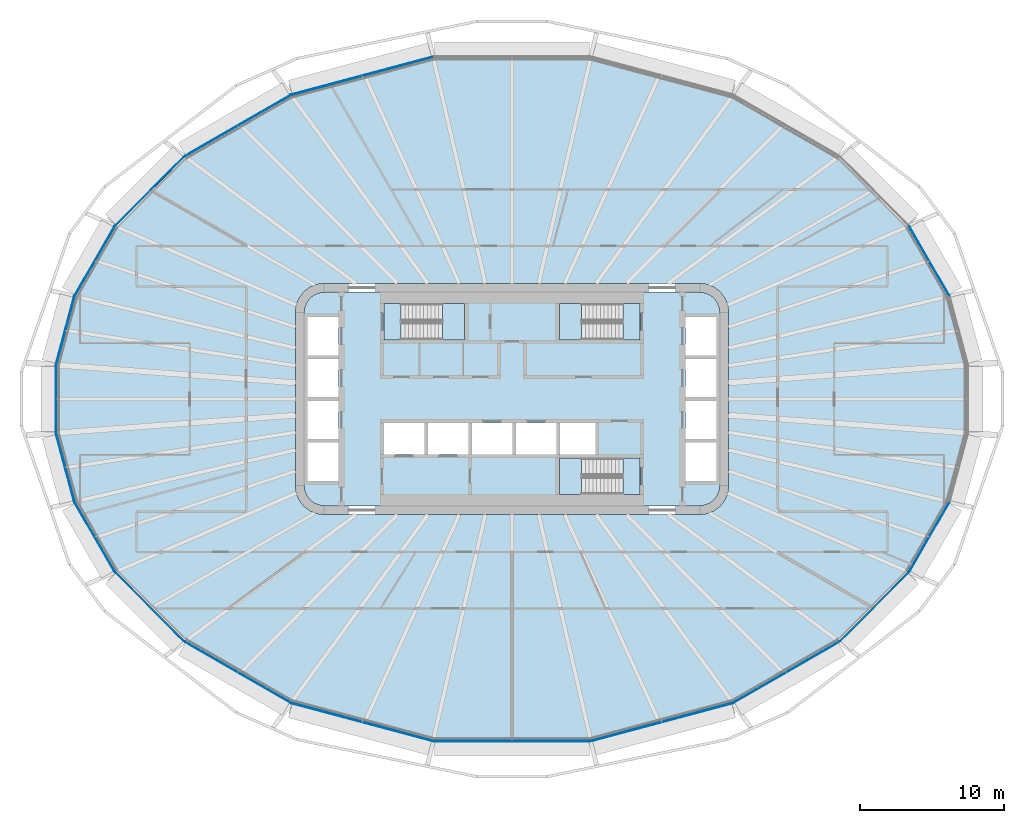
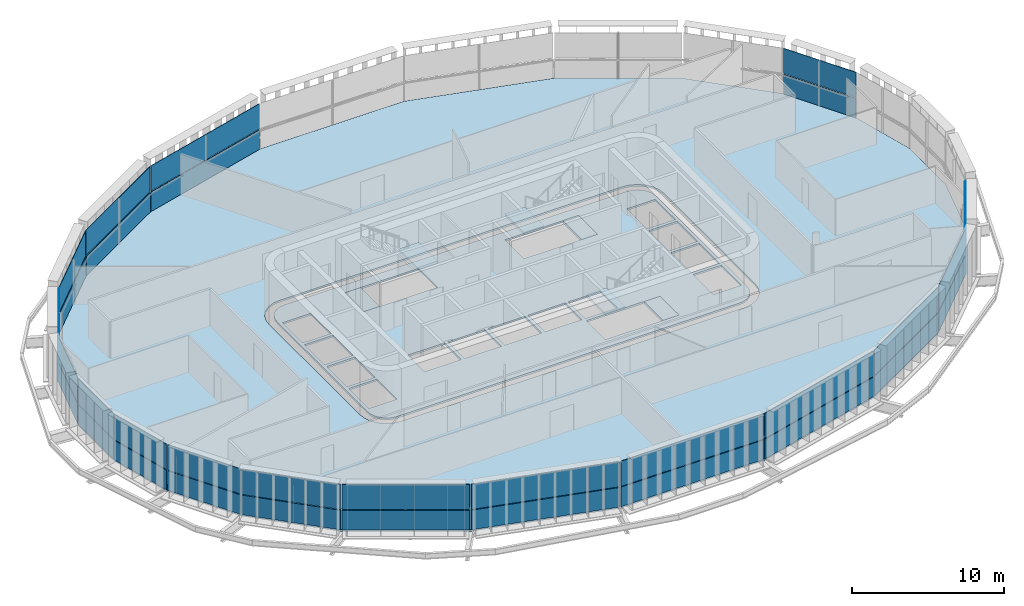
# One storey, part 13 of 25: 34 plates, 8 slabs, 20 elements without a shape of their own.
"""IFC4 building model written with IfcOpenShell, lengths in metres."""

from ifc_helpers import new_model, si_unit, direction, frame, origin, place, context, subcontext, project, spatial, polyline, outline, extrude, material, layer, layer_set, type_object, element, aggregate, save


model = new_model("IFC4")

# Units and contexts
model_context = context("Model", 3, precision=1e-05, world=origin(), true_north=direction((0.0, 1.0)))
body_context = subcontext(model_context, "Body", "Model", "MODEL_VIEW")
ifc_project = project(units=[si_unit("LENGTHUNIT", "METRE"), si_unit("AREAUNIT", "SQUARE_METRE"), si_unit("VOLUMEUNIT", "CUBIC_METRE"), si_unit("PLANEANGLEUNIT", "RADIAN"), si_unit("MASSUNIT", "GRAM", prefix="KILO")], contexts=[model_context])

# Site, building, storey
site_placement = place(None, origin())
site = spatial("IfcSite", under=ifc_project, at=site_placement, CompositionType="ELEMENT")
building_placement = place(site_placement, origin())
building = spatial("IfcBuilding", under=site, at=building_placement, Name="Sahrelin Media Tower", CompositionType="ELEMENT")
storey_placement = place(building_placement, frame((0.0, 0.0, 144.0)))
storey = spatial("IfcBuildingStorey", under=building, at=storey_placement, Name="L29", CompositionType="ELEMENT", Elevation=144.0)

# Slabs
ifc_material_1 = material(Name="Concrete C40/50", Category="concrete")
ifc_layer_1 = layer(ifc_material_1, 0.14990234375)
ifc_layer_set_1 = layer_set([ifc_layer_1], Name="Composite floor slab 150")
slab_type_1 = type_object("IfcSlabType", Name="Composite floor slab 150", PredefinedType="FLOOR", material=ifc_layer_set_1)
placement_1 = place(storey_placement, frame((0.0, 0.0, -0.14990234375)))
element("IfcSlab", 1, at=placement_1, inside=storey, type_object=slab_type_1, Name="Floor slab L29", PredefinedType="FLOOR", context=body_context, shape_type="SweptSolid", body=[
    extrude(outline(polyline([(31.55859375, -2.35595703125), (31.55859375, 2.35595703125), (30.283203125, 7.1162109375), (27.47900390625, 11.97314453125), (22.659912109375, 16.792236328125), (15.302001953125, 21.040283203125), (5.466552734375, 23.67578125), (-5.466552734375, 23.67578125), (-15.302001953125, 21.040283203125), (-22.659912109375, 16.792236328125), (-27.47900390625, 11.97314453125), (-30.283203125, 7.1162109375), (-31.55859375, 2.35595703125), (-31.55859375, -2.35595703125), (-30.283203125, -7.1162109375), (-27.47900390625, -11.97314453125), (-22.659912109375, -16.792236328125), (-15.302001953125, -21.040283203125), (-5.466552734375, -23.67578125), (5.466552734375, -23.67578125), (15.302001953125, -21.040283203125), (22.659912109375, -16.792236328125), (27.47900390625, -11.97314453125), (30.283203125, -7.1162109375), (31.55859375, -2.35595703125)]), holes=[polyline([(14.931884765625, 6.517578125), (15.0, 6.0), (15.0, -6.0), (14.931884765625, -6.517578125), (14.732177734375, -7.0), (14.414306640625, -7.414306640625), (14.0, -7.732177734375), (13.517578125, -7.931884765625), (13.0, -8.0), (-13.0, -8.0), (-13.517578125, -7.931884765625), (-14.0, -7.732177734375), (-14.414306640625, -7.414306640625), (-14.732177734375, -7.0), (-14.931884765625, -6.517578125), (-15.0, -6.0), (-15.0, 6.0), (-14.931884765625, 6.517578125), (-14.732177734375, 7.0), (-14.414306640625, 7.414306640625), (-14.0, 7.732177734375), (-13.517578125, 7.931884765625), (-13.0, 8.0), (13.0, 8.0), (13.517578125, 7.931884765625), (14.0, 7.732177734375), (14.414306640625, 7.414306640625), (14.732177734375, 7.0), (14.931884765625, 6.517578125)])]), origin(), (0.0, 0.0, 1.0), 0.14990234375),
])
ifc_layer_2 = layer(ifc_material_1, 0.14990234375)
ifc_layer_set_2 = layer_set([ifc_layer_2], Name="Core floor slab 150")
slab_type_2 = type_object("IfcSlabType", Name="Core floor slab 150", PredefinedType="FLOOR", material=ifc_layer_set_2)
element("IfcSlab", 2, at=placement_1, inside=storey, type_object=slab_type_2, Name="Core floor", PredefinedType="FLOOR", context=body_context, shape_type="SweptSolid", body=[
    extrude(outline(polyline([(-14.347412109375, 6.361083984375), (-14.39990234375, 5.960693359375), (-14.39990234375, -5.960693359375), (-14.347412109375, -6.361083984375), (-14.2080078125, -6.697509765625), (-13.986328125, -6.986328125), (-13.697509765625, -7.2080078125), (-13.361083984375, -7.347412109375), (-12.960693359375, -7.39990234375), (12.960693359375, -7.39990234375), (13.361083984375, -7.347412109375), (13.697509765625, -7.2080078125), (13.986328125, -6.986328125), (14.2080078125, -6.697509765625), (14.347412109375, -6.361083984375), (14.39990234375, -5.960693359375), (14.39990234375, 5.960693359375), (14.347412109375, 6.361083984375), (14.2080078125, 6.697509765625), (13.986328125, 6.986328125), (13.697509765625, 7.2080078125), (13.361083984375, 7.347412109375), (12.960693359375, 7.39990234375), (-12.960693359375, 7.39990234375), (-13.361083984375, 7.347412109375), (-13.697509765625, 7.2080078125), (-13.986328125, 6.986328125), (-14.2080078125, 6.697509765625), (-14.347412109375, 6.361083984375)]), holes=[polyline([(-12.0, 3.02490234375), (-12.0, 5.675048828125), (-14.14990234375, 5.675048828125), (-14.14990234375, 3.02490234375), (-12.0, 3.02490234375)]), polyline([(-14.14990234375, 0.125), (-12.0, 0.125), (-12.0, 2.77490234375), (-14.14990234375, 2.77490234375), (-14.14990234375, 0.125)]), polyline([(-14.14990234375, -0.125), (-14.14990234375, -2.77490234375), (-12.0, -2.77490234375), (-12.0, -0.125), (-14.14990234375, -0.125)]), polyline([(-12.0, -3.02490234375), (-14.14990234375, -3.02490234375), (-14.14990234375, -5.675048828125), (-12.0, -5.675048828125), (-12.0, -3.02490234375)]), polyline([(14.14990234375, 3.02490234375), (14.14990234375, 5.675048828125), (12.0, 5.675048828125), (12.0, 3.02490234375), (14.14990234375, 3.02490234375)]), polyline([(12.0, 0.125), (14.14990234375, 0.125), (14.14990234375, 2.77490234375), (12.0, 2.77490234375), (12.0, 0.125)]), polyline([(12.0, -0.125), (12.0, -2.77490234375), (14.14990234375, -2.77490234375), (14.14990234375, -0.125), (12.0, -0.125)]), polyline([(14.14990234375, -3.02490234375), (12.0, -3.02490234375), (12.0, -5.675048828125), (14.14990234375, -5.675048828125), (14.14990234375, -3.02490234375)]), polyline([(-6.074951171875, -3.85009765625), (-6.074951171875, -1.64990234375), (-8.875, -1.64990234375), (-8.875, -3.85009765625), (-6.074951171875, -3.85009765625)]), polyline([(-5.824951171875, -3.85009765625), (-3.02490234375, -3.85009765625), (-3.02490234375, -1.64990234375), (-5.824951171875, -1.64990234375), (-5.824951171875, -3.85009765625)]), polyline([(-2.77490234375, -1.64990234375), (-2.77490234375, -3.85009765625), (0.02490234375, -3.85009765625), (0.02490234375, -1.64990234375), (-2.77490234375, -1.64990234375)]), polyline([(3.074951171875, -1.64990234375), (0.27490234375, -1.64990234375), (0.27490234375, -3.85009765625), (3.074951171875, -3.85009765625), (3.074951171875, -1.64990234375)]), polyline([(5.77490234375, -3.85009765625), (5.77490234375, -1.64990234375), (3.324951171875, -1.64990234375), (3.324951171875, -3.85009765625), (5.77490234375, -3.85009765625)]), polyline([(-8.875, 6.60009765625), (-8.875, 4.10009765625), (-3.27490234375, 4.10009765625), (-3.27490234375, 6.60009765625), (-8.875, 6.60009765625)]), polyline([(3.27490234375, 4.10009765625), (8.875, 4.10009765625), (8.875, 6.60009765625), (3.27490234375, 6.60009765625), (3.27490234375, 4.10009765625)]), polyline([(3.27490234375, -4.10009765625), (3.27490234375, -6.60009765625), (8.875, -6.60009765625), (8.875, -4.10009765625), (3.27490234375, -4.10009765625)])]), origin(), (0.0, 0.0, 1.0), 0.14990234375),
])

# Curtain wall, plate
ifc_material_2 = material(Name="Champagne anodised aluminium 6063-T6", Category="aluminium")
ifc_layer_3 = layer(ifc_material_2, 0.14990234375)
ifc_layer_set_3 = layer_set([ifc_layer_3], Name="Tower ribbon curtain wall")
curtain_wall_type = type_object("IfcCurtainWallType", Name="Tower ribbon curtain wall", PredefinedType="NOTDEFINED", material=ifc_layer_set_3)
curtain_wall_1_placement = place(storey_placement, frame((28.8984375, 9.5546875, 0.0), z_axis=(0.0, 0.0, 1.0), x_axis=(1.0, 0.0, 0.0)))
curtain_wall_1 = element("IfcCurtainWall", 3, at=curtain_wall_1_placement, inside=storey, type_object=curtain_wall_type, Name="L29:CW:L29-02", PredefinedType="NOTDEFINED")
ifc_material_3 = material(Name="Clear low-iron glazing", Category="glass")
ifc_layer_4 = layer(ifc_material_3, 0.0400390625)
ifc_layer_set_4 = layer_set([ifc_layer_4], Name="Glazing panel 40 mm CW1")
plate_type_1 = type_object("IfcPlateType", Name="Glazing panel 40 mm CW1", PredefinedType="CURTAIN_PANEL", material=ifc_layer_set_4)
plate_1_placement = place(storey_placement, frame((30.294189453125, 7.177001953125, 1.6298828125), z_axis=(0.866032956191, 0.499986918621, 0.0), x_axis=(-0.499986918621, 0.866032956191, 0.0)))
plate_1 = element("IfcPlate", 4, at=plate_1_placement, type_object=plate_type_1, Name="L29:CWP2:L29-02", PredefinedType="CURTAIN_PANEL", context=body_context, shape_type="SweptSolid", body=[
    extrude(outline(polyline([(0.0, 0.0), (5.513916015625, 0.0), (5.513916015625, 2.018798828125), (0.0, 2.018798828125), (0.0, 0.0)])), origin(), (0.0, 0.0, -1.0), 0.0400390625),
])

curtain_wall_2_placement = place(storey_placement, frame((-10.389404296875, 22.377197265625, 0.0), z_axis=(0.0, 0.0, 1.0), x_axis=(1.0, 0.0, 0.0)))
curtain_wall_2 = element("IfcCurtainWall", 5, at=curtain_wall_2_placement, inside=storey, type_object=curtain_wall_type, Name="L29:CW:L29-07", PredefinedType="NOTDEFINED")
plate_2_placement = place(storey_placement, frame((-5.522705078125, 23.7021484375, 1.6298828125), z_axis=(-0.258816330459, 0.965926553671, 0.0), x_axis=(-0.965926553671, -0.258816330459, 0.0)))
plate_2 = element("IfcPlate", 6, at=plate_2_placement, type_object=plate_type_1, Name="L29:CWP2:L29-07", PredefinedType="CURTAIN_PANEL", context=body_context, shape_type="SweptSolid", body=[
    extrude(outline(polyline([(0.0, 0.0), (10.087646484375, 0.0), (10.087646484375, 2.018798828125), (0.0, 2.018798828125), (0.0, 0.0)])), origin(), (0.0, 0.0, -1.0), 0.0400390625),
])

curtain_wall_3_placement = place(storey_placement, frame((-18.990966796875, 18.93359375, 0.0), z_axis=(0.0, 0.0, 1.0), x_axis=(1.0, 0.0, 0.0)))
curtain_wall_3 = element("IfcCurtainWall", 7, at=curtain_wall_3_placement, inside=storey, type_object=curtain_wall_type, Name="L29:CW:L29-08", PredefinedType="NOTDEFINED")
plate_3_placement = place(storey_placement, frame((-15.363037109375, 21.05126953125, 1.6298828125), z_axis=(-0.499995799698, 0.866027828816, 0.0), x_axis=(-0.866027828816, -0.499995799698, 0.0)))
plate_3 = element("IfcPlate", 8, at=plate_3_placement, type_object=plate_type_1, Name="L29:CWP2:L29-08", PredefinedType="CURTAIN_PANEL", context=body_context, shape_type="SweptSolid", body=[
    extrude(outline(polyline([(0.0, 0.0), (8.4013671875, 0.0), (8.4013671875, 2.018798828125), (0.0, 2.018798828125), (0.0, 0.0)])), origin(), (0.0, 0.0, -1.0), 0.0400390625),
])

curtain_wall_4_placement = place(storey_placement, frame((-25.08349609375, 14.396728515625, 0.0), z_axis=(0.0, 0.0, 1.0), x_axis=(1.0, 0.0, 0.0)))
curtain_wall_4 = element("IfcCurtainWall", 9, at=curtain_wall_4_placement, inside=storey, type_object=curtain_wall_type, Name="L29:CW:L29-09", PredefinedType="NOTDEFINED")
plate_4_placement = place(storey_placement, frame((-22.7216796875, 16.787109375, 1.6298828125), z_axis=(-0.707106781187, 0.707106781187, 0.0), x_axis=(-0.707106781187, -0.707106781187, 0.0)))
plate_4 = element("IfcPlate", 10, at=plate_4_placement, type_object=plate_type_1, Name="L29:CWP2:L29-09", PredefinedType="CURTAIN_PANEL", context=body_context, shape_type="SweptSolid", body=[
    extrude(outline(polyline([(0.0, 0.0), (6.720703125, 0.0), (6.720703125, 2.018798828125), (0.0, 2.018798828125), (0.0, 0.0)])), origin(), (0.0, 0.0, -1.0), 0.0400390625),
])

curtain_wall_5_placement = place(storey_placement, frame((-28.8984375, 9.5546875, 0.0), z_axis=(0.0, 0.0, 1.0), x_axis=(1.0, 0.0, 0.0)))
curtain_wall_5 = element("IfcCurtainWall", 11, at=curtain_wall_5_placement, inside=storey, type_object=curtain_wall_type, Name="L29:CW:L29-10", PredefinedType="NOTDEFINED")
plate_5_placement = place(storey_placement, frame((-27.537353515625, 11.9521484375, 1.6298828125), z_axis=(-0.866032956191, 0.499986918621, 0.0), x_axis=(-0.499986918621, -0.866032956191, 0.0)))
plate_5 = element("IfcPlate", 12, at=plate_5_placement, type_object=plate_type_1, Name="L29:CWP2:L29-10", PredefinedType="CURTAIN_PANEL", context=body_context, shape_type="SweptSolid", body=[
    extrude(outline(polyline([(0.0, 0.0), (5.513916015625, 0.0), (5.513916015625, 2.018798828125), (0.0, 2.018798828125), (0.0, 0.0)])), origin(), (0.0, 0.0, -1.0), 0.0400390625),
])

curtain_wall_6_placement = place(storey_placement, frame((-30.940185546875, 4.7412109375, 0.0), z_axis=(0.0, 0.0, 1.0), x_axis=(1.0, 0.0, 0.0)))
curtain_wall_6 = element("IfcCurtainWall", 13, at=curtain_wall_6_placement, inside=storey, type_object=curtain_wall_type, Name="L29:CW:L29-11", PredefinedType="NOTDEFINED")
plate_6_placement = place(storey_placement, frame((-30.333984375, 7.080810546875, 1.6298828125), z_axis=(-0.965913101603, 0.258866529609, 0.0), x_axis=(-0.258866529609, -0.965913101603, 0.0)))
plate_6 = element("IfcPlate", 14, at=plate_6_placement, type_object=plate_type_1, Name="L29:CWP2:L29-11", PredefinedType="CURTAIN_PANEL", context=body_context, shape_type="SweptSolid", body=[
    extrude(outline(polyline([(0.0, 0.0), (4.83349609375, 0.0), (4.83349609375, 2.018798828125), (0.0, 2.018798828125), (0.0, 0.0)])), origin(), (0.0, 0.0, -1.0), 0.0400390625),
])

curtain_wall_7_placement = place(storey_placement, frame((-31.57861328125, 0.0, 0.0), z_axis=(0.0, 0.0, 1.0), x_axis=(1.0, 0.0, 0.0)))
curtain_wall_7 = element("IfcCurtainWall", 15, at=curtain_wall_7_placement, inside=storey, type_object=curtain_wall_type, Name="L29:CW:L29-12", PredefinedType="NOTDEFINED")
plate_7_placement = place(storey_placement, frame((-31.5986328125, 2.30859375, 1.6298828125), z_axis=(-1.0, 0.0, 0.0), x_axis=(0.0, -1.0, 0.0)))
plate_7 = element("IfcPlate", 16, at=plate_7_placement, type_object=plate_type_1, Name="L29:CWP2:L29-12", PredefinedType="CURTAIN_PANEL", context=body_context, shape_type="SweptSolid", body=[
    extrude(outline(polyline([(0.0, 0.0), (4.6171875, 0.0), (4.6171875, 2.018798828125), (0.0, 2.018798828125), (0.0, 0.0)])), origin(), (0.0, 0.0, -1.0), 0.0400390625),
])

curtain_wall_8_placement = place(storey_placement, frame((-30.940185546875, -4.7412109375, 0.0), z_axis=(0.0, 0.0, 1.0), x_axis=(1.0, 0.0, 0.0)))
curtain_wall_8 = element("IfcCurtainWall", 17, at=curtain_wall_8_placement, inside=storey, type_object=curtain_wall_type, Name="L29:CW:L29-13", PredefinedType="NOTDEFINED")
plate_8_placement = place(storey_placement, frame((-31.585205078125, -2.412109375, 1.6298828125), z_axis=(-0.965913101603, -0.258866529609, 0.0), x_axis=(0.258866529609, -0.965913101603, 0.0)))
plate_8 = element("IfcPlate", 18, at=plate_8_placement, type_object=plate_type_1, Name="L29:CWP2:L29-13", PredefinedType="CURTAIN_PANEL", context=body_context, shape_type="SweptSolid", body=[
    extrude(outline(polyline([(0.0, 0.0), (4.83349609375, 0.0), (4.83349609375, 2.018798828125), (0.0, 2.018798828125), (0.0, 0.0)])), origin(), (0.0, 0.0, -1.0), 0.0400390625),
])

curtain_wall_9_placement = place(storey_placement, frame((-28.8984375, -9.5546875, 0.0), z_axis=(0.0, 0.0, 1.0), x_axis=(1.0, 0.0, 0.0)))
curtain_wall_9 = element("IfcCurtainWall", 19, at=curtain_wall_9_placement, inside=storey, type_object=curtain_wall_type, Name="L29:CW:L29-14", PredefinedType="NOTDEFINED")
plate_9_placement = place(storey_placement, frame((-30.294189453125, -7.177001953125, 1.6298828125), z_axis=(-0.866032956191, -0.499986918621, 0.0), x_axis=(0.499986918621, -0.866032956191, 0.0)))
plate_9 = element("IfcPlate", 20, at=plate_9_placement, type_object=plate_type_1, Name="L29:CWP2:L29-14", PredefinedType="CURTAIN_PANEL", context=body_context, shape_type="SweptSolid", body=[
    extrude(outline(polyline([(0.0, 0.0), (5.513916015625, 0.0), (5.513916015625, 2.018798828125), (0.0, 2.018798828125), (0.0, 0.0)])), origin(), (0.0, 0.0, -1.0), 0.0400390625),
])

curtain_wall_10_placement = place(storey_placement, frame((-25.08349609375, -14.39697265625, 0.0), z_axis=(0.0, 0.0, 1.0), x_axis=(1.0, 0.0, 0.0)))
curtain_wall_10 = element("IfcCurtainWall", 21, at=curtain_wall_10_placement, inside=storey, type_object=curtain_wall_type, Name="L29:CW:L29-15", PredefinedType="NOTDEFINED")
plate_10_placement = place(storey_placement, frame((-27.473876953125, -12.034912109375, 1.6298828125), z_axis=(-0.707106781187, -0.707106781187, 0.0), x_axis=(0.707106781187, -0.707106781187, 0.0)))
plate_10 = element("IfcPlate", 22, at=plate_10_placement, type_object=plate_type_1, Name="L29:CWP2:L29-15", PredefinedType="CURTAIN_PANEL", context=body_context, shape_type="SweptSolid", body=[
    extrude(outline(polyline([(0.0, 0.0), (6.720703125, 0.0), (6.720703125, 2.018798828125), (0.0, 2.018798828125), (0.0, 0.0)])), origin(), (0.0, 0.0, -1.0), 0.0400390625),
])

curtain_wall_11_placement = place(storey_placement, frame((-18.990966796875, -18.93359375, 0.0), z_axis=(0.0, 0.0, 1.0), x_axis=(1.0, 0.0, 0.0)))
curtain_wall_11 = element("IfcCurtainWall", 23, at=curtain_wall_11_placement, inside=storey, type_object=curtain_wall_type, Name="L29:CW:L29-16", PredefinedType="NOTDEFINED")
plate_11_placement = place(storey_placement, frame((-22.638916015625, -16.8505859375, 1.6298828125), z_axis=(-0.499995799698, -0.866027828816, 0.0), x_axis=(0.866027828816, -0.499995799698, 0.0)))
plate_11 = element("IfcPlate", 24, at=plate_11_placement, type_object=plate_type_1, Name="L29:CWP2:L29-16", PredefinedType="CURTAIN_PANEL", context=body_context, shape_type="SweptSolid", body=[
    extrude(outline(polyline([(0.0, 0.0), (8.4013671875, 0.0), (8.4013671875, 2.018798828125), (0.0, 2.018798828125), (0.0, 0.0)])), origin(), (0.0, 0.0, -1.0), 0.0400390625),
])

curtain_wall_12_placement = place(storey_placement, frame((-10.389404296875, -22.377197265625, 0.0), z_axis=(0.0, 0.0, 1.0), x_axis=(1.0, 0.0, 0.0)))
curtain_wall_12 = element("IfcCurtainWall", 25, at=curtain_wall_12_placement, inside=storey, type_object=curtain_wall_type, Name="L29:CW:L29-17", PredefinedType="NOTDEFINED")
plate_12_placement = place(storey_placement, frame((-15.2666015625, -21.09130859375, 1.6298828125), z_axis=(-0.258816330459, -0.965926553671, 0.0), x_axis=(0.965926553671, -0.258816330459, 0.0)))
plate_12 = element("IfcPlate", 26, at=plate_12_placement, type_object=plate_type_1, Name="L29:CWP2:L29-17", PredefinedType="CURTAIN_PANEL", context=body_context, shape_type="SweptSolid", body=[
    extrude(outline(polyline([(0.0, 0.0), (10.087646484375, 0.0), (10.087646484375, 2.018798828125), (0.0, 2.018798828125), (0.0, 0.0)])), origin(), (0.0, 0.0, -1.0), 0.0400390625),
])

curtain_wall_13_placement = place(storey_placement, frame((0.0, -23.69580078125, 0.0), z_axis=(0.0, 0.0, 1.0), x_axis=(1.0, 0.0, 0.0)))
curtain_wall_13 = element("IfcCurtainWall", 27, at=curtain_wall_13_placement, inside=storey, type_object=curtain_wall_type, Name="L29:CW:L29-18", PredefinedType="NOTDEFINED")
plate_13_placement = place(storey_placement, frame((-5.419189453125, -23.7158203125, 1.6298828125), z_axis=(0.0, -1.0, 0.0), x_axis=(1.0, 0.0, 0.0)))
plate_13 = element("IfcPlate", 28, at=plate_13_placement, type_object=plate_type_1, Name="L29:CWP2:L29-18", PredefinedType="CURTAIN_PANEL", context=body_context, shape_type="SweptSolid", body=[
    extrude(outline(polyline([(0.0, 0.0), (10.83837890625, 0.0), (10.83837890625, 2.018798828125), (0.0, 2.018798828125), (0.0, 0.0)])), origin(), (0.0, 0.0, -1.0), 0.0400390625),
])

curtain_wall_14_placement = place(storey_placement, frame((10.389404296875, -22.377197265625, 0.0), z_axis=(0.0, 0.0, 1.0), x_axis=(1.0, 0.0, 0.0)))
curtain_wall_14 = element("IfcCurtainWall", 29, at=curtain_wall_14_placement, inside=storey, type_object=curtain_wall_type, Name="L29:CW:L29-19", PredefinedType="NOTDEFINED")
plate_14_placement = place(storey_placement, frame((5.522705078125, -23.7021484375, 1.6298828125), z_axis=(0.258816330459, -0.965926553671, 0.0), x_axis=(0.965926553671, 0.258816330459, 0.0)))
plate_14 = element("IfcPlate", 30, at=plate_14_placement, type_object=plate_type_1, Name="L29:CWP2:L29-19", PredefinedType="CURTAIN_PANEL", context=body_context, shape_type="SweptSolid", body=[
    extrude(outline(polyline([(0.0, 0.0), (10.087646484375, 0.0), (10.087646484375, 2.018798828125), (0.0, 2.018798828125), (0.0, 0.0)])), origin(), (0.0, 0.0, -1.0), 0.0400390625),
])

curtain_wall_15_placement = place(storey_placement, frame((18.990966796875, -18.93359375, 0.0), z_axis=(0.0, 0.0, 1.0), x_axis=(1.0, 0.0, 0.0)))
curtain_wall_15 = element("IfcCurtainWall", 31, at=curtain_wall_15_placement, inside=storey, type_object=curtain_wall_type, Name="L29:CW:L29-20", PredefinedType="NOTDEFINED")
plate_15_placement = place(storey_placement, frame((15.363037109375, -21.05126953125, 1.6298828125), z_axis=(0.499995799698, -0.866027828816, 0.0), x_axis=(0.866027828816, 0.499995799698, 0.0)))
plate_15 = element("IfcPlate", 32, at=plate_15_placement, type_object=plate_type_1, Name="L29:CWP2:L29-20", PredefinedType="CURTAIN_PANEL", context=body_context, shape_type="SweptSolid", body=[
    extrude(outline(polyline([(0.0, 0.0), (8.4013671875, 0.0), (8.4013671875, 2.018798828125), (0.0, 2.018798828125), (0.0, 0.0)])), origin(), (0.0, 0.0, -1.0), 0.0400390625),
])

curtain_wall_16_placement = place(storey_placement, frame((25.08349609375, -14.396728515625, 0.0), z_axis=(0.0, 0.0, 1.0), x_axis=(1.0, 0.0, 0.0)))
curtain_wall_16 = element("IfcCurtainWall", 33, at=curtain_wall_16_placement, inside=storey, type_object=curtain_wall_type, Name="L29:CW:L29-21", PredefinedType="NOTDEFINED")
plate_16_placement = place(storey_placement, frame((22.7216796875, -16.787109375, 1.6298828125), z_axis=(0.707106781187, -0.707106781187, 0.0), x_axis=(0.707106781187, 0.707106781187, 0.0)))
plate_16 = element("IfcPlate", 34, at=plate_16_placement, type_object=plate_type_1, Name="L29:CWP2:L29-21", PredefinedType="CURTAIN_PANEL", context=body_context, shape_type="SweptSolid", body=[
    extrude(outline(polyline([(0.0, 0.0), (6.720703125, 0.0), (6.720703125, 2.018798828125), (0.0, 2.018798828125), (0.0, 0.0)])), origin(), (0.0, 0.0, -1.0), 0.0400390625),
])

curtain_wall_17_placement = place(storey_placement, frame((28.8984375, -9.5546875, 0.0), z_axis=(0.0, 0.0, 1.0), x_axis=(1.0, 0.0, 0.0)))
curtain_wall_17 = element("IfcCurtainWall", 35, at=curtain_wall_17_placement, inside=storey, type_object=curtain_wall_type, Name="L29:CW:L29-22", PredefinedType="NOTDEFINED")
plate_17_placement = place(storey_placement, frame((27.537353515625, -11.9521484375, 1.6298828125), z_axis=(0.866032956191, -0.499986918621, 0.0), x_axis=(0.499986918621, 0.866032956191, 0.0)))
plate_17 = element("IfcPlate", 36, at=plate_17_placement, type_object=plate_type_1, Name="L29:CWP2:L29-22", PredefinedType="CURTAIN_PANEL", context=body_context, shape_type="SweptSolid", body=[
    extrude(outline(polyline([(0.0, 0.0), (5.513916015625, 0.0), (5.513916015625, 2.018798828125), (0.0, 2.018798828125), (0.0, 0.0)])), origin(), (0.0, 0.0, -1.0), 0.0400390625),
])

# Plate
ifc_material_4 = material(Name="Insulated spandrel panel")
ifc_layer_5 = layer(ifc_material_4, 0.06005859375)
ifc_layer_set_5 = layer_set([ifc_layer_5], Name="Spandrel panel 60 mm CW1")
plate_type_2 = type_object("IfcPlateType", Name="Spandrel panel 60 mm CW1", PredefinedType="SHEET", material=ifc_layer_set_5)
plate_18_placement = place(storey_placement, frame((30.294189453125, 7.177001953125, 0.0), z_axis=(0.866032956191, 0.499986918621, 0.0), x_axis=(-0.499986918621, 0.866032956191, 0.0)))
plate_18 = element("IfcPlate", 37, at=plate_18_placement, type_object=plate_type_2, Name="L29:CWP1:L29-02", PredefinedType="SHEET", context=body_context, shape_type="SweptSolid", body=[
    extrude(outline(polyline([(0.0, 0.0), (5.513916015625, 0.0), (5.513916015625, 1.570068359375), (0.0, 1.570068359375), (0.0, 0.0)])), origin(), (0.0, 0.0, -1.0), 0.06005859375),
])

aggregate(curtain_wall_1, [plate_18, plate_1])

plate_19_placement = place(storey_placement, frame((-5.522705078125, 23.7021484375, 0.0), z_axis=(-0.258816330459, 0.965926553671, 0.0), x_axis=(-0.965926553671, -0.258816330459, 0.0)))
plate_19 = element("IfcPlate", 38, at=plate_19_placement, type_object=plate_type_2, Name="L29:CWP1:L29-07", PredefinedType="SHEET", context=body_context, shape_type="SweptSolid", body=[
    extrude(outline(polyline([(0.0, 0.0), (10.087646484375, 0.0), (10.087646484375, 1.570068359375), (0.0, 1.570068359375), (0.0, 0.0)])), origin(), (0.0, 0.0, -1.0), 0.06005859375),
])

aggregate(curtain_wall_2, [plate_19, plate_2])

plate_20_placement = place(storey_placement, frame((-15.363037109375, 21.05126953125, 0.0), z_axis=(-0.499995799698, 0.866027828816, 0.0), x_axis=(-0.866027828816, -0.499995799698, 0.0)))
plate_20 = element("IfcPlate", 39, at=plate_20_placement, type_object=plate_type_2, Name="L29:CWP1:L29-08", PredefinedType="SHEET", context=body_context, shape_type="SweptSolid", body=[
    extrude(outline(polyline([(0.0, 0.0), (8.4013671875, 0.0), (8.4013671875, 1.570068359375), (0.0, 1.570068359375), (0.0, 0.0)])), origin(), (0.0, 0.0, -1.0), 0.06005859375),
])

aggregate(curtain_wall_3, [plate_20, plate_3])

plate_21_placement = place(storey_placement, frame((-22.7216796875, 16.787109375, 0.0), z_axis=(-0.707106781187, 0.707106781187, 0.0), x_axis=(-0.707106781187, -0.707106781187, 0.0)))
plate_21 = element("IfcPlate", 40, at=plate_21_placement, type_object=plate_type_2, Name="L29:CWP1:L29-09", PredefinedType="SHEET", context=body_context, shape_type="SweptSolid", body=[
    extrude(outline(polyline([(0.0, 0.0), (6.720703125, 0.0), (6.720703125, 1.570068359375), (0.0, 1.570068359375), (0.0, 0.0)])), origin(), (0.0, 0.0, -1.0), 0.06005859375),
])

aggregate(curtain_wall_4, [plate_21, plate_4])

plate_22_placement = place(storey_placement, frame((-27.537353515625, 11.9521484375, 0.0), z_axis=(-0.866032956191, 0.499986918621, 0.0), x_axis=(-0.499986918621, -0.866032956191, 0.0)))
plate_22 = element("IfcPlate", 41, at=plate_22_placement, type_object=plate_type_2, Name="L29:CWP1:L29-10", PredefinedType="SHEET", context=body_context, shape_type="SweptSolid", body=[
    extrude(outline(polyline([(0.0, 0.0), (5.513916015625, 0.0), (5.513916015625, 1.570068359375), (0.0, 1.570068359375), (0.0, 0.0)])), origin(), (0.0, 0.0, -1.0), 0.06005859375),
])

aggregate(curtain_wall_5, [plate_22, plate_5])

plate_23_placement = place(storey_placement, frame((-30.333984375, 7.080810546875, 0.0), z_axis=(-0.965913101603, 0.258866529609, 0.0), x_axis=(-0.258866529609, -0.965913101603, 0.0)))
plate_23 = element("IfcPlate", 42, at=plate_23_placement, type_object=plate_type_2, Name="L29:CWP1:L29-11", PredefinedType="SHEET", context=body_context, shape_type="SweptSolid", body=[
    extrude(outline(polyline([(0.0, 0.0), (4.83349609375, 0.0), (4.83349609375, 1.570068359375), (0.0, 1.570068359375), (0.0, 0.0)])), origin(), (0.0, 0.0, -1.0), 0.06005859375),
])

aggregate(curtain_wall_6, [plate_23, plate_6])

plate_24_placement = place(storey_placement, frame((-31.5986328125, 2.30859375, 0.0), z_axis=(-1.0, 0.0, 0.0), x_axis=(0.0, -1.0, 0.0)))
plate_24 = element("IfcPlate", 43, at=plate_24_placement, type_object=plate_type_2, Name="L29:CWP1:L29-12", PredefinedType="SHEET", context=body_context, shape_type="SweptSolid", body=[
    extrude(outline(polyline([(0.0, 0.0), (4.6171875, 0.0), (4.6171875, 1.570068359375), (0.0, 1.570068359375), (0.0, 0.0)])), origin(), (0.0, 0.0, -1.0), 0.06005859375),
])

aggregate(curtain_wall_7, [plate_24, plate_7])

plate_25_placement = place(storey_placement, frame((-31.585205078125, -2.412109375, 0.0), z_axis=(-0.965913101603, -0.258866529609, 0.0), x_axis=(0.258866529609, -0.965913101603, 0.0)))
plate_25 = element("IfcPlate", 44, at=plate_25_placement, type_object=plate_type_2, Name="L29:CWP1:L29-13", PredefinedType="SHEET", context=body_context, shape_type="SweptSolid", body=[
    extrude(outline(polyline([(0.0, 0.0), (4.83349609375, 0.0), (4.83349609375, 1.570068359375), (0.0, 1.570068359375), (0.0, 0.0)])), origin(), (0.0, 0.0, -1.0), 0.06005859375),
])

aggregate(curtain_wall_8, [plate_25, plate_8])

plate_26_placement = place(storey_placement, frame((-30.294189453125, -7.177001953125, 0.0), z_axis=(-0.866032956191, -0.499986918621, 0.0), x_axis=(0.499986918621, -0.866032956191, 0.0)))
plate_26 = element("IfcPlate", 45, at=plate_26_placement, type_object=plate_type_2, Name="L29:CWP1:L29-14", PredefinedType="SHEET", context=body_context, shape_type="SweptSolid", body=[
    extrude(outline(polyline([(0.0, 0.0), (5.513916015625, 0.0), (5.513916015625, 1.570068359375), (0.0, 1.570068359375), (0.0, 0.0)])), origin(), (0.0, 0.0, -1.0), 0.06005859375),
])

aggregate(curtain_wall_9, [plate_26, plate_9])

plate_27_placement = place(storey_placement, frame((-27.473876953125, -12.034912109375, 0.0), z_axis=(-0.707106781187, -0.707106781187, 0.0), x_axis=(0.707106781187, -0.707106781187, 0.0)))
plate_27 = element("IfcPlate", 46, at=plate_27_placement, type_object=plate_type_2, Name="L29:CWP1:L29-15", PredefinedType="SHEET", context=body_context, shape_type="SweptSolid", body=[
    extrude(outline(polyline([(0.0, 0.0), (6.720703125, 0.0), (6.720703125, 1.570068359375), (0.0, 1.570068359375), (0.0, 0.0)])), origin(), (0.0, 0.0, -1.0), 0.06005859375),
])

aggregate(curtain_wall_10, [plate_27, plate_10])

plate_28_placement = place(storey_placement, frame((-22.638916015625, -16.8505859375, 0.0), z_axis=(-0.499995799698, -0.866027828816, 0.0), x_axis=(0.866027828816, -0.499995799698, 0.0)))
plate_28 = element("IfcPlate", 47, at=plate_28_placement, type_object=plate_type_2, Name="L29:CWP1:L29-16", PredefinedType="SHEET", context=body_context, shape_type="SweptSolid", body=[
    extrude(outline(polyline([(0.0, 0.0), (8.4013671875, 0.0), (8.4013671875, 1.570068359375), (0.0, 1.570068359375), (0.0, 0.0)])), origin(), (0.0, 0.0, -1.0), 0.06005859375),
])

aggregate(curtain_wall_11, [plate_28, plate_11])

plate_29_placement = place(storey_placement, frame((-15.2666015625, -21.09130859375, 0.0), z_axis=(-0.258816330459, -0.965926553671, 0.0), x_axis=(0.965926553671, -0.258816330459, 0.0)))
plate_29 = element("IfcPlate", 48, at=plate_29_placement, type_object=plate_type_2, Name="L29:CWP1:L29-17", PredefinedType="SHEET", context=body_context, shape_type="SweptSolid", body=[
    extrude(outline(polyline([(0.0, 0.0), (10.087646484375, 0.0), (10.087646484375, 1.570068359375), (0.0, 1.570068359375), (0.0, 0.0)])), origin(), (0.0, 0.0, -1.0), 0.06005859375),
])

aggregate(curtain_wall_12, [plate_29, plate_12])

plate_30_placement = place(storey_placement, frame((-5.419189453125, -23.7158203125, 0.0), z_axis=(0.0, -1.0, 0.0), x_axis=(1.0, 0.0, 0.0)))
plate_30 = element("IfcPlate", 49, at=plate_30_placement, type_object=plate_type_2, Name="L29:CWP1:L29-18", PredefinedType="SHEET", context=body_context, shape_type="SweptSolid", body=[
    extrude(outline(polyline([(0.0, 0.0), (10.83837890625, 0.0), (10.83837890625, 1.570068359375), (0.0, 1.570068359375), (0.0, 0.0)])), origin(), (0.0, 0.0, -1.0), 0.06005859375),
])

aggregate(curtain_wall_13, [plate_30, plate_13])

plate_31_placement = place(storey_placement, frame((5.522705078125, -23.7021484375, 0.0), z_axis=(0.258816330459, -0.965926553671, 0.0), x_axis=(0.965926553671, 0.258816330459, 0.0)))
plate_31 = element("IfcPlate", 50, at=plate_31_placement, type_object=plate_type_2, Name="L29:CWP1:L29-19", PredefinedType="SHEET", context=body_context, shape_type="SweptSolid", body=[
    extrude(outline(polyline([(0.0, 0.0), (10.087646484375, 0.0), (10.087646484375, 1.570068359375), (0.0, 1.570068359375), (0.0, 0.0)])), origin(), (0.0, 0.0, -1.0), 0.06005859375),
])

aggregate(curtain_wall_14, [plate_31, plate_14])

plate_32_placement = place(storey_placement, frame((15.363037109375, -21.05126953125, 0.0), z_axis=(0.499995799698, -0.866027828816, 0.0), x_axis=(0.866027828816, 0.499995799698, 0.0)))
plate_32 = element("IfcPlate", 51, at=plate_32_placement, type_object=plate_type_2, Name="L29:CWP1:L29-20", PredefinedType="SHEET", context=body_context, shape_type="SweptSolid", body=[
    extrude(outline(polyline([(0.0, 0.0), (8.4013671875, 0.0), (8.4013671875, 1.570068359375), (0.0, 1.570068359375), (0.0, 0.0)])), origin(), (0.0, 0.0, -1.0), 0.06005859375),
])

aggregate(curtain_wall_15, [plate_32, plate_15])

plate_33_placement = place(storey_placement, frame((22.7216796875, -16.787109375, 0.0), z_axis=(0.707106781187, -0.707106781187, 0.0), x_axis=(0.707106781187, 0.707106781187, 0.0)))
plate_33 = element("IfcPlate", 52, at=plate_33_placement, type_object=plate_type_2, Name="L29:CWP1:L29-21", PredefinedType="SHEET", context=body_context, shape_type="SweptSolid", body=[
    extrude(outline(polyline([(0.0, 0.0), (6.720703125, 0.0), (6.720703125, 1.570068359375), (0.0, 1.570068359375), (0.0, 0.0)])), origin(), (0.0, 0.0, -1.0), 0.06005859375),
])

aggregate(curtain_wall_16, [plate_33, plate_16])

plate_34_placement = place(storey_placement, frame((27.537353515625, -11.9521484375, 0.0), z_axis=(0.866032956191, -0.499986918621, 0.0), x_axis=(0.499986918621, 0.866032956191, 0.0)))
plate_34 = element("IfcPlate", 53, at=plate_34_placement, type_object=plate_type_2, Name="L29:CWP1:L29-22", PredefinedType="SHEET", context=body_context, shape_type="SweptSolid", body=[
    extrude(outline(polyline([(0.0, 0.0), (5.513916015625, 0.0), (5.513916015625, 1.570068359375), (0.0, 1.570068359375), (0.0, 0.0)])), origin(), (0.0, 0.0, -1.0), 0.06005859375),
])

aggregate(curtain_wall_17, [plate_34, plate_17])

# Stair, slabs
stair_type = type_object("IfcStairType", Name="Exit stair 1200", PredefinedType="HALF_TURN_STAIR", material=ifc_material_1)
placement_2 = place(storey_placement, origin())
stair_1 = element("IfcStair", 54, at=placement_2, inside=storey, type_object=stair_type, Name="L29 Exit stair ST1", PredefinedType="HALF_TURN_STAIR")
ifc_layer_6 = layer(ifc_material_1, 0.199951171875)
ifc_layer_set_6 = layer_set([ifc_layer_6], Name="Stair landing 200")
slab_type_3 = type_object("IfcSlabType", Name="Stair landing 200", PredefinedType="LANDING", material=ifc_layer_set_6)
placement_3 = place(storey_placement, frame((0.0, 0.0, 1.89990234375)))
slab_3 = element("IfcSlab", 55, at=placement_3, type_object=slab_type_3, Name="ST1 landing 1", PredefinedType="LANDING", context=body_context, shape_type="SweptSolid", body=[
    extrude(outline(polyline([(-4.81494140625, 4.10009765625), (-3.27490234375, 4.10009765625), (-3.27490234375, 6.60009765625), (-4.81494140625, 6.60009765625), (-4.81494140625, 4.10009765625)])), origin(), (0.0, 0.0, 1.0), 0.2001953125),
])
placement_4 = place(storey_placement, frame((0.0, 0.0, -0.199951171875)))
slab_4 = element("IfcSlab", 56, at=placement_4, type_object=slab_type_3, Name="ST1 landing 2", PredefinedType="LANDING", context=body_context, shape_type="SweptSolid", body=[
    extrude(outline(polyline([(-8.875, 4.10009765625), (-7.675048828125, 4.10009765625), (-7.675048828125, 6.60009765625), (-8.875, 6.60009765625), (-8.875, 4.10009765625)])), origin(), (0.0, 0.0, 1.0), 0.199951171875),
])
aggregate(stair_1, [slab_3, slab_4])

stair_2 = element("IfcStair", 57, at=placement_2, inside=storey, type_object=stair_type, Name="L29 Exit stair ST3", PredefinedType="HALF_TURN_STAIR")
slab_5 = element("IfcSlab", 58, at=placement_3, type_object=slab_type_3, Name="ST3 landing 1", PredefinedType="LANDING", context=body_context, shape_type="SweptSolid", body=[
    extrude(outline(polyline([(4.81494140625, 6.60009765625), (3.27490234375, 6.60009765625), (3.27490234375, 4.10009765625), (4.81494140625, 4.10009765625), (4.81494140625, 6.60009765625)])), origin(), (0.0, 0.0, 1.0), 0.2001953125),
])
slab_6 = element("IfcSlab", 59, at=placement_4, type_object=slab_type_3, Name="ST3 landing 2", PredefinedType="LANDING", context=body_context, shape_type="SweptSolid", body=[
    extrude(outline(polyline([(8.875, 6.60009765625), (7.675048828125, 6.60009765625), (7.675048828125, 4.10009765625), (8.875, 4.10009765625), (8.875, 6.60009765625)])), origin(), (0.0, 0.0, 1.0), 0.199951171875),
])
aggregate(stair_2, [slab_5, slab_6])

stair_3 = element("IfcStair", 60, at=placement_2, inside=storey, type_object=stair_type, Name="L29 Exit stair ST2", PredefinedType="HALF_TURN_STAIR")
slab_7 = element("IfcSlab", 61, at=placement_3, type_object=slab_type_3, Name="ST2 landing 1", PredefinedType="LANDING", context=body_context, shape_type="SweptSolid", body=[
    extrude(outline(polyline([(4.81494140625, -4.10009765625), (3.27490234375, -4.10009765625), (3.27490234375, -6.60009765625), (4.81494140625, -6.60009765625), (4.81494140625, -4.10009765625)])), origin(), (0.0, 0.0, 1.0), 0.2001953125),
])
slab_8 = element("IfcSlab", 62, at=placement_4, type_object=slab_type_3, Name="ST2 landing 2", PredefinedType="LANDING", context=body_context, shape_type="SweptSolid", body=[
    extrude(outline(polyline([(8.875, -4.10009765625), (7.675048828125, -4.10009765625), (7.675048828125, -6.60009765625), (8.875, -6.60009765625), (8.875, -4.10009765625)])), origin(), (0.0, 0.0, 1.0), 0.199951171875),
])
aggregate(stair_3, [slab_7, slab_8])

save(model, "model.ifc")
